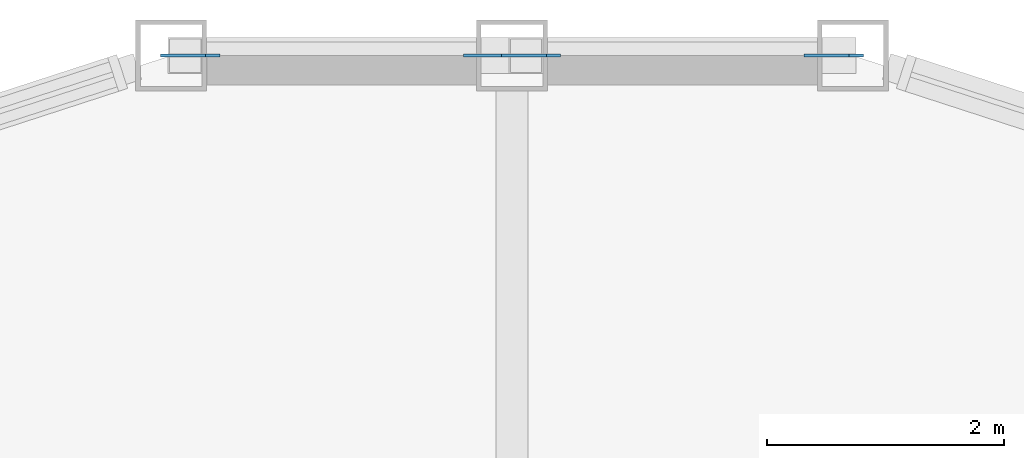
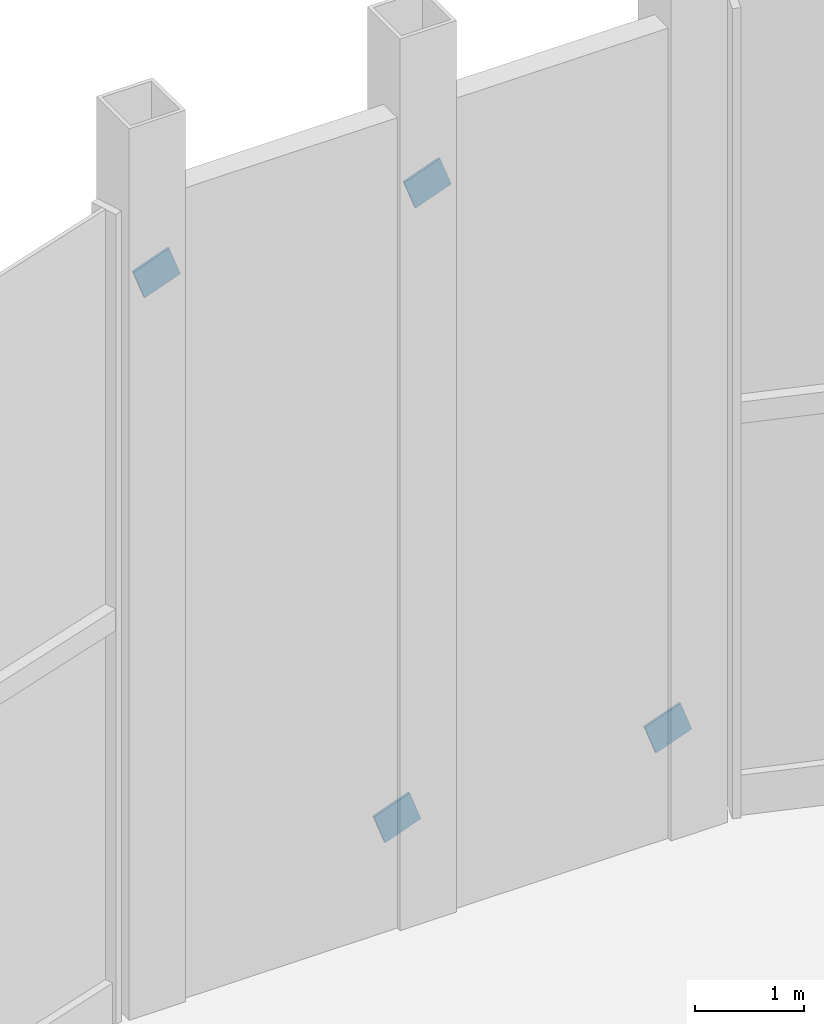
# One storey, part 14 of 18: 4 discrete accessories.
"""IFC4 building model written with IfcOpenShell, lengths in metres."""

from ifc_helpers import new_model, si_unit, direction, frame, origin, origin_2d, place, context, subcontext, project, spatial, rectangle, extrude, material, material_profile, profile_set, type_object, element, save


model = new_model("IFC4")

# Units and contexts
model_context = context("Model", 3, precision=1e-05, world=origin(), true_north=direction((0.0, 1.0)))
body_context = subcontext(model_context, "Body", "Model", "MODEL_VIEW")
ifc_project = project(units=[si_unit("LENGTHUNIT", "METRE"), si_unit("AREAUNIT", "SQUARE_METRE"), si_unit("VOLUMEUNIT", "CUBIC_METRE"), si_unit("PLANEANGLEUNIT", "RADIAN"), si_unit("MASSUNIT", "GRAM", prefix="KILO")], contexts=[model_context])

# Site, building, storey
site_placement = place(None, origin())
site = spatial("IfcSite", under=ifc_project, at=site_placement, CompositionType="ELEMENT")
building_placement = place(site_placement, origin())
building = spatial("IfcBuilding", under=site, at=building_placement, Name="Cormorant Prow Tower", CompositionType="ELEMENT")
storey_placement = place(building_placement, frame((0.0, 0.0, 346.0)))
storey = spatial("IfcBuildingStorey", under=building, at=storey_placement, Name="L78", CompositionType="ELEMENT", Elevation=346.0)

# Discrete accessories
ifc_material = material(Name="Structural steel ASTM A500 Gr C", Category="steel")
ifc_material_profile = material_profile(ifc_material, rectangle(XDim=0.02490234375, YDim=0.405029296875, at=origin_2d()), Name="Gusset plate 25x405")
ifc_profile_set = profile_set([ifc_material_profile], Name="Structural steel ASTM A500 Gr C")
discrete_accessory_type = type_object("IfcDiscreteAccessoryType", Name="Gusset plate 25x405", PredefinedType="BRACKET", material=ifc_profile_set)
for number, where, z_axis, x_axis, name in (
    (1, (2.653076171875, 31.676025390625, 1.2060546875), (0.341855094206, 0.0, -0.939752677339), (0.0, 1.0, 0.0), "Gusset plate GP3 L78.N00.g0"),
    (2, (0.220703125, 31.676025390625, 7.8818359375), (-0.341855094206, 0.0, 0.939752677339), (0.0, -1.0, 0.0), "Gusset plate GP3 L78.N00.g1"),
    (3, (-0.220703125, 31.676025390625, 1.2060546875), (0.341855094206, 0.0, -0.939752677339), (0.0, 1.0, 0.0), "Gusset plate GP3 L78.N01.g0"),
    (4, (-2.653076171875, 31.676025390625, 7.8818359375), (-0.341855094206, 0.0, 0.939752677339), (0.0, -1.0, 0.0), "Gusset plate GP3 L78.N01.g1"),
):
    element("IfcDiscreteAccessory", number, at=place(storey_placement, frame(where, z_axis=z_axis, x_axis=x_axis)), inside=storey, type_object=discrete_accessory_type, Name=name, PredefinedType="BRACKET", context=body_context, shape_type="SweptSolid", body=[
        extrude(rectangle(XDim=0.02490234375, YDim=0.405029296875, at=origin_2d()), origin(), (0.0, 0.0, 1.0), 0.349853515625),
    ])

save(model, "model.ifc")
